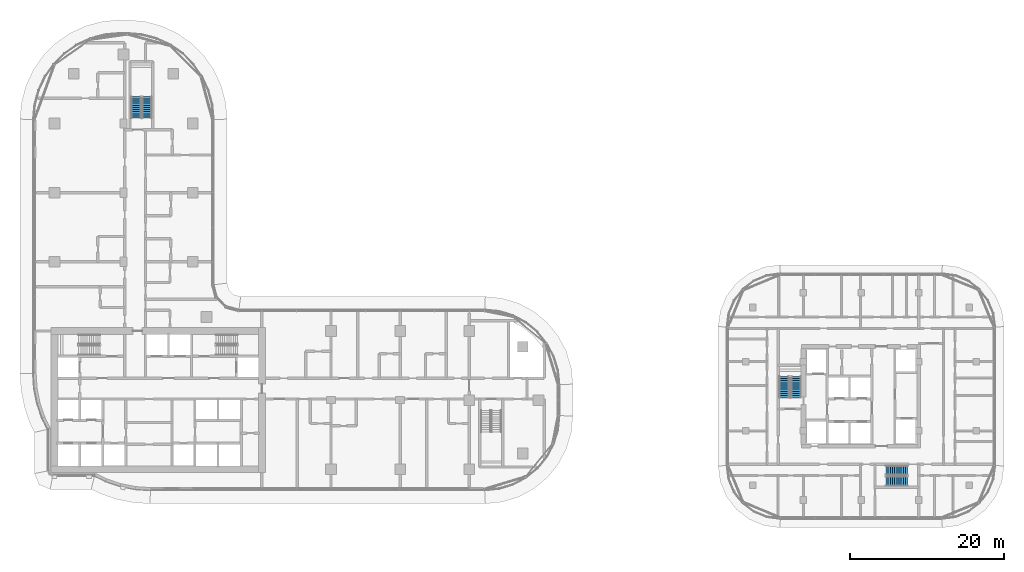
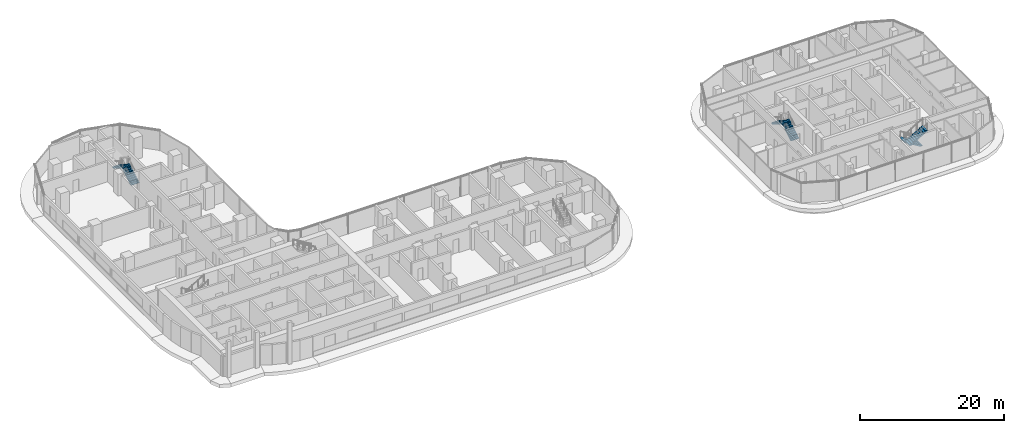
# One storey, part 27 of 36: 6 stair flights, 3 elements without a shape of their own.
"""IFC4 building model written with IfcOpenShell, lengths in metres."""

from ifc_helpers import new_model, si_unit, direction, frame, origin, place, context, subcontext, project, spatial, triangles, source, transform, mapped, material, type_object, element, aggregate, save


model = new_model("IFC4")

# Units and contexts
model_context = context("Model", 3, precision=1e-05, world=origin(), true_north=direction((0.0, 1.0)))
body_context = subcontext(model_context, "Body", "Model", "MODEL_VIEW")
ifc_project = project(units=[si_unit("LENGTHUNIT", "METRE"), si_unit("AREAUNIT", "SQUARE_METRE"), si_unit("VOLUMEUNIT", "CUBIC_METRE"), si_unit("PLANEANGLEUNIT", "RADIAN"), si_unit("MASSUNIT", "GRAM", prefix="KILO")], contexts=[model_context])

# Site, building, storey
site_placement = place(None, origin())
site = spatial("IfcSite", under=ifc_project, at=site_placement, CompositionType="ELEMENT")
building_placement = place(site_placement, origin())
building = spatial("IfcBuilding", under=site, at=building_placement, Name="Ogive Portal Towers", CompositionType="ELEMENT")
storey_placement = place(building_placement, frame((0.0, 0.0, 63.10009765625)))
storey = spatial("IfcBuildingStorey", under=building, at=storey_placement, Name="L14", CompositionType="ELEMENT", Elevation=63.10009765625)

# Stair, stair flights
ifc_material = material(Name="Concrete C40/50", Category="concrete")
stair_type = type_object("IfcStairType", Name="INT-STAIR", PredefinedType="HALF_TURN_STAIR", material=ifc_material)
stair_1_placement = place(storey_placement, origin())
stair_1 = element("IfcStair", 1, at=stair_1_placement, inside=storey, type_object=stair_type, Name="L14 Exit Stair ST-A3", PredefinedType="HALF_TURN_STAIR")
stair_flight_type = type_object("IfcStairFlightType", Name="INT-FLIGHT", PredefinedType="STRAIGHT", material=ifc_material)
shared_shape = source(origin(), body_context, "Body", "Tessellation", [
    triangles([(0.0, -0.650146484375, 0.0), (0.0, -0.376220703125, 0.0), (0.0, -0.192626953125, 0.0), (0.0, -0.081298828125, 0.0), (0.0, -0.024169921875, 0.0), (0.0, -0.003173828125, 0.0), (0.0, 0.0, 0.0), (0.0, 0.0029296875, 0.0), (0.0, 0.02392578125, 0.0), (0.0, 0.0810546875, 0.0), (0.0, 0.1923828125, 0.0), (0.0, 0.3759765625, 0.0), (0.0, 0.64990234375, 0.0), (0.0, -0.650146484375, 0.168212890625), (0.0, -0.376220703125, 0.168212890625), (0.0, -0.192626953125, 0.168212890625), (0.0, -0.081298828125, 0.168212890625), (0.0, -0.024169921875, 0.168212890625), (0.0, -0.003173828125, 0.168212890625), (0.0, 0.0, 0.168212890625), (0.0, 0.0029296875, 0.168212890625), (0.0, 0.02392578125, 0.168212890625), (0.0, 0.0810546875, 0.168212890625), (0.0, 0.1923828125, 0.168212890625), (0.0, 0.3759765625, 0.168212890625), (0.0, 0.64990234375, 0.168212890625), (0.280029296875, -0.650146484375, 0.168212890625), (0.280029296875, -0.376220703125, 0.168212890625), (0.280029296875, -0.192626953125, 0.168212890625), (0.280029296875, -0.081298828125, 0.168212890625), (0.280029296875, -0.024169921875, 0.168212890625), (0.280029296875, -0.003173828125, 0.168212890625), (0.280029296875, 0.0, 0.168212890625), (0.280029296875, 0.0029296875, 0.168212890625), (0.280029296875, 0.02392578125, 0.168212890625), (0.280029296875, 0.0810546875, 0.168212890625), (0.280029296875, 0.1923828125, 0.168212890625), (0.280029296875, 0.3759765625, 0.168212890625), (0.280029296875, 0.64990234375, 0.168212890625), (0.280029296875, -0.650146484375, 0.33642578125), (0.280029296875, -0.376220703125, 0.33642578125), (0.280029296875, -0.192626953125, 0.33642578125), (0.280029296875, -0.081298828125, 0.33642578125), (0.280029296875, -0.024169921875, 0.33642578125), (0.280029296875, -0.003173828125, 0.33642578125), (0.280029296875, 0.0, 0.33642578125), (0.280029296875, 0.0029296875, 0.33642578125), (0.280029296875, 0.02392578125, 0.33642578125), (0.280029296875, 0.0810546875, 0.33642578125), (0.280029296875, 0.1923828125, 0.33642578125), (0.280029296875, 0.3759765625, 0.33642578125), (0.280029296875, 0.64990234375, 0.33642578125), (0.56005859375, -0.650146484375, 0.33642578125), (0.56005859375, -0.376220703125, 0.33642578125), (0.56005859375, -0.192626953125, 0.33642578125), (0.56005859375, -0.081298828125, 0.33642578125), (0.56005859375, -0.024169921875, 0.33642578125), (0.56005859375, -0.003173828125, 0.33642578125), (0.56005859375, 0.0, 0.33642578125), (0.56005859375, 0.0029296875, 0.33642578125), (0.56005859375, 0.02392578125, 0.33642578125), (0.56005859375, 0.0810546875, 0.33642578125), (0.56005859375, 0.1923828125, 0.33642578125), (0.56005859375, 0.3759765625, 0.33642578125), (0.56005859375, 0.64990234375, 0.33642578125), (0.56005859375, -0.650146484375, 0.504638671875), (0.56005859375, -0.376220703125, 0.504638671875), (0.56005859375, -0.192626953125, 0.504638671875), (0.56005859375, -0.081298828125, 0.504638671875), (0.56005859375, -0.024169921875, 0.504638671875), (0.56005859375, -0.003173828125, 0.504638671875), (0.56005859375, 0.0, 0.504638671875), (0.56005859375, 0.0029296875, 0.504638671875), (0.56005859375, 0.02392578125, 0.504638671875), (0.56005859375, 0.0810546875, 0.504638671875), (0.56005859375, 0.1923828125, 0.504638671875), (0.56005859375, 0.3759765625, 0.504638671875), (0.56005859375, 0.64990234375, 0.504638671875), (0.840087890625, -0.650146484375, 0.504638671875), (0.840087890625, -0.376220703125, 0.504638671875), (0.840087890625, -0.192626953125, 0.504638671875), (0.840087890625, -0.081298828125, 0.504638671875), (0.840087890625, -0.024169921875, 0.504638671875), (0.840087890625, -0.003173828125, 0.504638671875), (0.840087890625, 0.0, 0.504638671875), (0.840087890625, 0.0029296875, 0.504638671875), (0.840087890625, 0.02392578125, 0.504638671875), (0.840087890625, 0.0810546875, 0.504638671875), (0.840087890625, 0.1923828125, 0.504638671875), (0.840087890625, 0.3759765625, 0.504638671875), (0.840087890625, 0.64990234375, 0.504638671875), (0.840087890625, -0.650146484375, 0.672607421875), (0.840087890625, -0.376220703125, 0.672607421875), (0.840087890625, -0.192626953125, 0.672607421875), (0.840087890625, -0.081298828125, 0.672607421875), (0.840087890625, -0.024169921875, 0.672607421875), (0.840087890625, -0.003173828125, 0.672607421875), (0.840087890625, 0.0, 0.672607421875), (0.840087890625, 0.0029296875, 0.672607421875), (0.840087890625, 0.02392578125, 0.672607421875), (0.840087890625, 0.0810546875, 0.672607421875), (0.840087890625, 0.1923828125, 0.672607421875), (0.840087890625, 0.3759765625, 0.672607421875), (0.840087890625, 0.64990234375, 0.672607421875), (1.1201171875, -0.650146484375, 0.672607421875), (1.1201171875, -0.376220703125, 0.672607421875), (1.1201171875, -0.192626953125, 0.672607421875), (1.1201171875, -0.081298828125, 0.672607421875), (1.1201171875, -0.024169921875, 0.672607421875), (1.1201171875, -0.003173828125, 0.672607421875), (1.1201171875, 0.0, 0.672607421875), (1.1201171875, 0.0029296875, 0.672607421875), (1.1201171875, 0.02392578125, 0.672607421875), (1.1201171875, 0.0810546875, 0.672607421875), (1.1201171875, 0.1923828125, 0.672607421875), (1.1201171875, 0.3759765625, 0.672607421875), (1.1201171875, 0.64990234375, 0.672607421875), (1.1201171875, -0.650146484375, 0.8408203125), (1.1201171875, -0.376220703125, 0.8408203125), (1.1201171875, -0.192626953125, 0.8408203125), (1.1201171875, -0.081298828125, 0.8408203125), (1.1201171875, -0.024169921875, 0.8408203125), (1.1201171875, -0.003173828125, 0.8408203125), (1.1201171875, 0.0, 0.8408203125), (1.1201171875, 0.0029296875, 0.8408203125), (1.1201171875, 0.02392578125, 0.8408203125), (1.1201171875, 0.0810546875, 0.8408203125), (1.1201171875, 0.1923828125, 0.8408203125), (1.1201171875, 0.3759765625, 0.8408203125), (1.1201171875, 0.64990234375, 0.8408203125), (1.39990234375, -0.650146484375, 0.8408203125), (1.39990234375, -0.376220703125, 0.8408203125), (1.39990234375, -0.192626953125, 0.8408203125), (1.39990234375, -0.081298828125, 0.8408203125), (1.39990234375, -0.024169921875, 0.8408203125), (1.39990234375, -0.003173828125, 0.8408203125), (1.39990234375, 0.0, 0.8408203125), (1.39990234375, 0.0029296875, 0.8408203125), (1.39990234375, 0.02392578125, 0.8408203125), (1.39990234375, 0.0810546875, 0.8408203125), (1.39990234375, 0.1923828125, 0.8408203125), (1.39990234375, 0.3759765625, 0.8408203125), (1.39990234375, 0.64990234375, 0.8408203125), (1.39990234375, -0.650146484375, 1.009033203125), (1.39990234375, -0.376220703125, 1.009033203125), (1.39990234375, -0.192626953125, 1.009033203125), (1.39990234375, -0.081298828125, 1.009033203125), (1.39990234375, -0.024169921875, 1.009033203125), (1.39990234375, -0.003173828125, 1.009033203125), (1.39990234375, 0.0, 1.009033203125), (1.39990234375, 0.0029296875, 1.009033203125), (1.39990234375, 0.02392578125, 1.009033203125), (1.39990234375, 0.0810546875, 1.009033203125), (1.39990234375, 0.1923828125, 1.009033203125), (1.39990234375, 0.3759765625, 1.009033203125), (1.39990234375, 0.64990234375, 1.009033203125), (1.679931640625, -0.650146484375, 1.009033203125), (1.679931640625, -0.376220703125, 1.009033203125), (1.679931640625, -0.192626953125, 1.009033203125), (1.679931640625, -0.081298828125, 1.009033203125), (1.679931640625, -0.024169921875, 1.009033203125), (1.679931640625, -0.003173828125, 1.009033203125), (1.679931640625, 0.0, 1.009033203125), (1.679931640625, 0.0029296875, 1.009033203125), (1.679931640625, 0.02392578125, 1.009033203125), (1.679931640625, 0.0810546875, 1.009033203125), (1.679931640625, 0.1923828125, 1.009033203125), (1.679931640625, 0.3759765625, 1.009033203125), (1.679931640625, 0.64990234375, 1.009033203125), (1.679931640625, -0.650146484375, 1.17724609375), (1.679931640625, -0.376220703125, 1.17724609375), (1.679931640625, -0.192626953125, 1.17724609375), (1.679931640625, -0.081298828125, 1.17724609375), (1.679931640625, -0.024169921875, 1.17724609375), (1.679931640625, -0.003173828125, 1.17724609375), (1.679931640625, 0.0, 1.17724609375), (1.679931640625, 0.0029296875, 1.17724609375), (1.679931640625, 0.02392578125, 1.17724609375), (1.679931640625, 0.0810546875, 1.17724609375), (1.679931640625, 0.1923828125, 1.17724609375), (1.679931640625, 0.3759765625, 1.17724609375), (1.679931640625, 0.64990234375, 1.17724609375), (1.9599609375, -0.650146484375, 1.17724609375), (1.9599609375, -0.376220703125, 1.17724609375), (1.9599609375, -0.192626953125, 1.17724609375), (1.9599609375, -0.081298828125, 1.17724609375), (1.9599609375, -0.024169921875, 1.17724609375), (1.9599609375, -0.003173828125, 1.17724609375), (1.9599609375, 0.0, 1.17724609375), (1.9599609375, 0.0029296875, 1.17724609375), (1.9599609375, 0.02392578125, 1.17724609375), (1.9599609375, 0.0810546875, 1.17724609375), (1.9599609375, 0.1923828125, 1.17724609375), (1.9599609375, 0.3759765625, 1.17724609375), (1.9599609375, 0.64990234375, 1.17724609375), (1.9599609375, -0.650146484375, 1.345458984375), (1.9599609375, -0.376220703125, 1.345458984375), (1.9599609375, -0.192626953125, 1.345458984375), (1.9599609375, -0.081298828125, 1.345458984375), (1.9599609375, -0.024169921875, 1.345458984375), (1.9599609375, -0.003173828125, 1.345458984375), (1.9599609375, 0.0, 1.345458984375), (1.9599609375, 0.0029296875, 1.345458984375), (1.9599609375, 0.02392578125, 1.345458984375), (1.9599609375, 0.0810546875, 1.345458984375), (1.9599609375, 0.1923828125, 1.345458984375), (1.9599609375, 0.3759765625, 1.345458984375), (1.9599609375, 0.64990234375, 1.345458984375), (2.239990234375, -0.650146484375, 1.345458984375), (2.239990234375, -0.376220703125, 1.345458984375), (2.239990234375, -0.192626953125, 1.345458984375), (2.239990234375, -0.081298828125, 1.345458984375), (2.239990234375, -0.024169921875, 1.345458984375), (2.239990234375, -0.003173828125, 1.345458984375), (2.239990234375, 0.0, 1.345458984375), (2.239990234375, 0.0029296875, 1.345458984375), (2.239990234375, 0.02392578125, 1.345458984375), (2.239990234375, 0.0810546875, 1.345458984375), (2.239990234375, 0.1923828125, 1.345458984375), (2.239990234375, 0.3759765625, 1.345458984375), (2.239990234375, 0.64990234375, 1.345458984375), (2.239990234375, -0.650146484375, 1.513671875), (2.239990234375, -0.376220703125, 1.513671875), (2.239990234375, -0.192626953125, 1.513671875), (2.239990234375, -0.081298828125, 1.513671875), (2.239990234375, -0.024169921875, 1.513671875), (2.239990234375, -0.003173828125, 1.513671875), (2.239990234375, 0.0, 1.513671875), (2.239990234375, 0.0029296875, 1.513671875), (2.239990234375, 0.02392578125, 1.513671875), (2.239990234375, 0.0810546875, 1.513671875), (2.239990234375, 0.1923828125, 1.513671875), (2.239990234375, 0.3759765625, 1.513671875), (2.239990234375, 0.64990234375, 1.513671875), (2.52001953125, -0.650146484375, 1.513671875), (2.52001953125, -0.376220703125, 1.513671875), (2.52001953125, -0.192626953125, 1.513671875), (2.52001953125, -0.081298828125, 1.513671875), (2.52001953125, -0.024169921875, 1.513671875), (2.52001953125, -0.003173828125, 1.513671875), (2.52001953125, 0.0, 1.513671875), (2.52001953125, 0.0029296875, 1.513671875), (2.52001953125, 0.02392578125, 1.513671875), (2.52001953125, 0.0810546875, 1.513671875), (2.52001953125, 0.1923828125, 1.513671875), (2.52001953125, 0.3759765625, 1.513671875), (2.52001953125, 0.64990234375, 1.513671875), (2.52001953125, -0.650146484375, 1.681884765625), (2.52001953125, -0.376220703125, 1.681884765625), (2.52001953125, -0.192626953125, 1.681884765625), (2.52001953125, -0.081298828125, 1.681884765625), (2.52001953125, -0.024169921875, 1.681884765625), (2.52001953125, -0.003173828125, 1.681884765625), (2.52001953125, 0.0, 1.681884765625), (2.52001953125, 0.0029296875, 1.681884765625), (2.52001953125, 0.02392578125, 1.681884765625), (2.52001953125, 0.0810546875, 1.681884765625), (2.52001953125, 0.1923828125, 1.681884765625), (2.52001953125, 0.3759765625, 1.681884765625), (2.52001953125, 0.64990234375, 1.681884765625), (2.800048828125, -0.650146484375, 1.681884765625), (2.800048828125, -0.376220703125, 1.681884765625), (2.800048828125, -0.192626953125, 1.681884765625), (2.800048828125, -0.081298828125, 1.681884765625), (2.800048828125, -0.024169921875, 1.681884765625), (2.800048828125, -0.003173828125, 1.681884765625), (2.800048828125, 0.0, 1.681884765625), (2.800048828125, 0.0029296875, 1.681884765625), (2.800048828125, 0.02392578125, 1.681884765625), (2.800048828125, 0.0810546875, 1.681884765625), (2.800048828125, 0.1923828125, 1.681884765625), (2.800048828125, 0.3759765625, 1.681884765625), (2.800048828125, 0.64990234375, 1.681884765625), (2.800048828125, -0.650146484375, 1.5068359375), (2.800048828125, -0.376220703125, 1.5068359375), (2.800048828125, -0.192626953125, 1.5068359375), (2.800048828125, -0.081298828125, 1.5068359375), (2.800048828125, -0.024169921875, 1.5068359375), (2.800048828125, -0.003173828125, 1.5068359375), (2.800048828125, 0.0, 1.5068359375), (2.800048828125, 0.0029296875, 1.5068359375), (2.800048828125, 0.02392578125, 1.5068359375), (2.800048828125, 0.0810546875, 1.5068359375), (2.800048828125, 0.1923828125, 1.5068359375), (2.800048828125, 0.3759765625, 1.5068359375), (2.800048828125, 0.64990234375, 1.5068359375), (0.291015625, -0.650146484375, 0.0), (0.291015625, -0.376220703125, 0.0), (0.291015625, -0.192626953125, 0.0), (0.291015625, -0.081298828125, 0.0), (0.291015625, -0.024169921875, 0.0), (0.291015625, -0.003173828125, 0.0), (0.291015625, 0.0, 0.0), (0.291015625, 0.0029296875, 0.0), (0.291015625, 0.02392578125, 0.0), (0.291015625, 0.0810546875, 0.0), (0.291015625, 0.1923828125, 0.0), (0.291015625, 0.3759765625, 0.0), (0.291015625, 0.64990234375, 0.0)], [[1, 14, 15], [1, 15, 2], [2, 15, 16], [2, 16, 3], [3, 16, 17], [3, 17, 4], [4, 17, 18], [4, 18, 5], [5, 18, 19], [5, 19, 6], [6, 19, 20], [6, 20, 7], [7, 20, 21], [7, 21, 8], [8, 21, 22], [8, 22, 9], [9, 22, 23], [9, 23, 10], [10, 23, 24], [10, 24, 11], [11, 24, 25], [11, 25, 12], [12, 25, 26], [12, 26, 13], [14, 27, 28], [14, 28, 15], [15, 28, 29], [15, 29, 16], [16, 29, 30], [16, 30, 17], [17, 30, 31], [17, 31, 18], [18, 31, 32], [18, 32, 19], [19, 32, 33], [19, 33, 20], [20, 33, 34], [20, 34, 21], [21, 34, 35], [21, 35, 22], [22, 35, 36], [22, 36, 23], [23, 36, 37], [23, 37, 24], [24, 37, 38], [24, 38, 25], [25, 38, 39], [25, 39, 26], [27, 40, 41], [27, 41, 28], [28, 41, 42], [28, 42, 29], [29, 42, 43], [29, 43, 30], [30, 43, 44], [30, 44, 31], [31, 44, 45], [31, 45, 32], [32, 45, 46], [32, 46, 33], [33, 46, 47], [33, 47, 34], [34, 47, 48], [34, 48, 35], [35, 48, 49], [35, 49, 36], [36, 49, 50], [36, 50, 37], [37, 50, 51], [37, 51, 38], [38, 51, 52], [38, 52, 39], [40, 53, 54], [40, 54, 41], [41, 54, 55], [41, 55, 42], [42, 55, 56], [42, 56, 43], [43, 56, 57], [43, 57, 44], [44, 57, 58], [44, 58, 45], [45, 58, 59], [45, 59, 46], [46, 59, 60], [46, 60, 47], [47, 60, 61], [47, 61, 48], [48, 61, 62], [48, 62, 49], [49, 62, 63], [49, 63, 50], [50, 63, 64], [50, 64, 51], [51, 64, 65], [51, 65, 52], [53, 66, 67], [53, 67, 54], [54, 67, 68], [54, 68, 55], [55, 68, 69], [55, 69, 56], [56, 69, 70], [56, 70, 57], [57, 70, 71], [57, 71, 58], [58, 71, 72], [58, 72, 59], [59, 72, 73], [59, 73, 60], [60, 73, 74], [60, 74, 61], [61, 74, 75], [61, 75, 62], [62, 75, 76], [62, 76, 63], [63, 76, 77], [63, 77, 64], [64, 77, 78], [64, 78, 65], [66, 79, 80], [66, 80, 67], [67, 80, 81], [67, 81, 68], [68, 81, 82], [68, 82, 69], [69, 82, 83], [69, 83, 70], [70, 83, 84], [70, 84, 71], [71, 84, 85], [71, 85, 72], [72, 85, 86], [72, 86, 73], [73, 86, 87], [73, 87, 74], [74, 87, 88], [74, 88, 75], [75, 88, 89], [75, 89, 76], [76, 89, 90], [76, 90, 77], [77, 90, 91], [77, 91, 78], [79, 92, 93], [79, 93, 80], [80, 93, 94], [80, 94, 81], [81, 94, 95], [81, 95, 82], [82, 95, 96], [82, 96, 83], [83, 96, 97], [83, 97, 84], [84, 97, 98], [84, 98, 85], [85, 98, 99], [85, 99, 86], [86, 99, 100], [86, 100, 87], [87, 100, 101], [87, 101, 88], [88, 101, 102], [88, 102, 89], [89, 102, 103], [89, 103, 90], [90, 103, 104], [90, 104, 91], [92, 105, 106], [92, 106, 93], [93, 106, 107], [93, 107, 94], [94, 107, 108], [94, 108, 95], [95, 108, 109], [95, 109, 96], [96, 109, 110], [96, 110, 97], [97, 110, 111], [97, 111, 98], [98, 111, 112], [98, 112, 99], [99, 112, 113], [99, 113, 100], [100, 113, 114], [100, 114, 101], [101, 114, 115], [101, 115, 102], [102, 115, 116], [102, 116, 103], [103, 116, 117], [103, 117, 104], [105, 118, 119], [105, 119, 106], [106, 119, 120], [106, 120, 107], [107, 120, 121], [107, 121, 108], [108, 121, 122], [108, 122, 109], [109, 122, 123], [109, 123, 110], [110, 123, 124], [110, 124, 111], [111, 124, 125], [111, 125, 112], [112, 125, 126], [112, 126, 113], [113, 126, 127], [113, 127, 114], [114, 127, 128], [114, 128, 115], [115, 128, 129], [115, 129, 116], [116, 129, 130], [116, 130, 117], [118, 131, 132], [118, 132, 119], [119, 132, 133], [119, 133, 120], [120, 133, 134], [120, 134, 121], [121, 134, 135], [121, 135, 122], [122, 135, 136], [122, 136, 123], [123, 136, 137], [123, 137, 124], [124, 137, 138], [124, 138, 125], [125, 138, 139], [125, 139, 126], [126, 139, 140], [126, 140, 127], [127, 140, 141], [127, 141, 128], [128, 141, 142], [128, 142, 129], [129, 142, 143], [129, 143, 130], [131, 144, 145], [131, 145, 132], [132, 145, 146], [132, 146, 133], [133, 146, 147], [133, 147, 134], [134, 147, 148], [134, 148, 135], [135, 148, 149], [135, 149, 136], [136, 149, 150], [136, 150, 137], [137, 150, 151], [137, 151, 138], [138, 151, 152], [138, 152, 139], [139, 152, 153], [139, 153, 140], [140, 153, 154], [140, 154, 141], [141, 154, 155], [141, 155, 142], [142, 155, 156], [142, 156, 143], [144, 157, 158], [144, 158, 145], [145, 158, 159], [145, 159, 146], [146, 159, 160], [146, 160, 147], [147, 160, 161], [147, 161, 148], [148, 161, 162], [148, 162, 149], [149, 162, 163], [149, 163, 150], [150, 163, 164], [150, 164, 151], [151, 164, 165], [151, 165, 152], [152, 165, 166], [152, 166, 153], [153, 166, 167], [153, 167, 154], [154, 167, 168], [154, 168, 155], [155, 168, 169], [155, 169, 156], [157, 170, 171], [157, 171, 158], [158, 171, 172], [158, 172, 159], [159, 172, 173], [159, 173, 160], [160, 173, 174], [160, 174, 161], [161, 174, 175], [161, 175, 162], [162, 175, 176], [162, 176, 163], [163, 176, 177], [163, 177, 164], [164, 177, 178], [164, 178, 165], [165, 178, 179], [165, 179, 166], [166, 179, 180], [166, 180, 167], [167, 180, 181], [167, 181, 168], [168, 181, 182], [168, 182, 169], [170, 183, 184], [170, 184, 171], [171, 184, 185], [171, 185, 172], [172, 185, 186], [172, 186, 173], [173, 186, 187], [173, 187, 174], [174, 187, 188], [174, 188, 175], [175, 188, 189], [175, 189, 176], [176, 189, 190], [176, 190, 177], [177, 190, 191], [177, 191, 178], [178, 191, 192], [178, 192, 179], [179, 192, 193], [179, 193, 180], [180, 193, 194], [180, 194, 181], [181, 194, 195], [181, 195, 182], [183, 196, 197], [183, 197, 184], [184, 197, 198], [184, 198, 185], [185, 198, 199], [185, 199, 186], [186, 199, 200], [186, 200, 187], [187, 200, 201], [187, 201, 188], [188, 201, 202], [188, 202, 189], [189, 202, 203], [189, 203, 190], [190, 203, 204], [190, 204, 191], [191, 204, 205], [191, 205, 192], [192, 205, 206], [192, 206, 193], [193, 206, 207], [193, 207, 194], [194, 207, 208], [194, 208, 195], [196, 209, 210], [196, 210, 197], [197, 210, 211], [197, 211, 198], [198, 211, 212], [198, 212, 199], [199, 212, 213], [199, 213, 200], [200, 213, 214], [200, 214, 201], [201, 214, 215], [201, 215, 202], [202, 215, 216], [202, 216, 203], [203, 216, 217], [203, 217, 204], [204, 217, 218], [204, 218, 205], [205, 218, 219], [205, 219, 206], [206, 219, 220], [206, 220, 207], [207, 220, 221], [207, 221, 208], [209, 222, 223], [209, 223, 210], [210, 223, 224], [210, 224, 211], [211, 224, 225], [211, 225, 212], [212, 225, 226], [212, 226, 213], [213, 226, 227], [213, 227, 214], [214, 227, 228], [214, 228, 215], [215, 228, 229], [215, 229, 216], [216, 229, 230], [216, 230, 217], [217, 230, 231], [217, 231, 218], [218, 231, 232], [218, 232, 219], [219, 232, 233], [219, 233, 220], [220, 233, 234], [220, 234, 221], [222, 235, 236], [222, 236, 223], [223, 236, 237], [223, 237, 224], [224, 237, 238], [224, 238, 225], [225, 238, 239], [225, 239, 226], [226, 239, 240], [226, 240, 227], [227, 240, 241], [227, 241, 228], [228, 241, 242], [228, 242, 229], [229, 242, 243], [229, 243, 230], [230, 243, 244], [230, 244, 231], [231, 244, 245], [231, 245, 232], [232, 245, 246], [232, 246, 233], [233, 246, 247], [233, 247, 234], [235, 248, 249], [235, 249, 236], [236, 249, 250], [236, 250, 237], [237, 250, 251], [237, 251, 238], [238, 251, 252], [238, 252, 239], [239, 252, 253], [239, 253, 240], [240, 253, 254], [240, 254, 241], [241, 254, 255], [241, 255, 242], [242, 255, 256], [242, 256, 243], [243, 256, 257], [243, 257, 244], [244, 257, 258], [244, 258, 245], [245, 258, 259], [245, 259, 246], [246, 259, 260], [246, 260, 247], [248, 261, 262], [248, 262, 249], [249, 262, 263], [249, 263, 250], [250, 263, 264], [250, 264, 251], [251, 264, 265], [251, 265, 252], [252, 265, 266], [252, 266, 253], [253, 266, 267], [253, 267, 254], [254, 267, 268], [254, 268, 255], [255, 268, 269], [255, 269, 256], [256, 269, 270], [256, 270, 257], [257, 270, 271], [257, 271, 258], [258, 271, 272], [258, 272, 259], [259, 272, 273], [259, 273, 260], [261, 274, 275], [261, 275, 262], [262, 275, 276], [262, 276, 263], [263, 276, 277], [263, 277, 264], [264, 277, 278], [264, 278, 265], [265, 278, 279], [265, 279, 266], [266, 279, 280], [266, 280, 267], [267, 280, 281], [267, 281, 268], [268, 281, 282], [268, 282, 269], [269, 282, 283], [269, 283, 270], [270, 283, 284], [270, 284, 271], [271, 284, 285], [271, 285, 272], [272, 285, 286], [272, 286, 273], [274, 287, 288], [274, 288, 275], [275, 288, 289], [275, 289, 276], [276, 289, 290], [276, 290, 277], [277, 290, 291], [277, 291, 278], [278, 291, 292], [278, 292, 279], [279, 292, 293], [279, 293, 280], [280, 293, 294], [280, 294, 281], [281, 294, 295], [281, 295, 282], [282, 295, 296], [282, 296, 283], [283, 296, 297], [283, 297, 284], [284, 297, 298], [284, 298, 285], [285, 298, 299], [285, 299, 286], [287, 1, 2], [287, 2, 288], [288, 2, 3], [288, 3, 289], [289, 3, 4], [289, 4, 290], [290, 4, 5], [290, 5, 291], [291, 5, 6], [291, 6, 292], [292, 6, 7], [292, 7, 293], [293, 7, 8], [293, 8, 294], [294, 8, 9], [294, 9, 295], [295, 9, 10], [295, 10, 296], [296, 10, 11], [296, 11, 297], [297, 11, 12], [297, 12, 298], [298, 12, 13], [298, 13, 299], [1, 287, 274], [13, 286, 299], [274, 261, 248], [286, 260, 273], [274, 248, 235], [286, 247, 260], [274, 235, 222], [286, 234, 247], [274, 222, 209], [286, 221, 234], [209, 196, 183], [221, 195, 208], [274, 209, 183], [286, 195, 221], [183, 170, 157], [195, 169, 182], [274, 183, 157], [286, 169, 195], [157, 144, 131], [169, 143, 156], [274, 157, 131], [286, 143, 169], [131, 118, 105], [143, 117, 130], [274, 131, 105], [286, 117, 143], [1, 274, 105], [13, 117, 286], [105, 92, 79], [117, 91, 104], [79, 66, 53], [91, 65, 78], [105, 79, 53], [117, 65, 91], [53, 40, 27], [65, 39, 52], [105, 53, 27], [117, 39, 65], [1, 105, 27], [13, 39, 117], [27, 14, 1], [39, 13, 26]], closed=True),
])
stair_flight_1_placement = place(storey_placement, frame((43.550048828125, 67.199951171875, 0.0), z_axis=(0.0, 0.0, 1.0), x_axis=(0.0, 1.0, 0.0)))
stair_flight_1 = element("IfcStairFlight", 2, at=stair_flight_1_placement, type_object=stair_flight_type, Name="ST-A3 flight 1", NumberOfRisers=11, NumberOfTreads=10, PredefinedType="STRAIGHT", RiserHeight=0.168181818, TreadLength=0.28, context=body_context, shape_type="MappedRepresentation", body=[
    mapped(shared_shape, transform((0.0, 0.0, 0.0), scale=1.0)),
])
stair_flight_2_placement = place(storey_placement, frame((42.14990234375, 70.0, 1.849853515625), z_axis=(0.0, 0.0, 1.0), x_axis=(0.0, -1.0, 0.0)))
stair_flight_2 = element("IfcStairFlight", 3, at=stair_flight_2_placement, type_object=stair_flight_type, Name="ST-A3 flight 2", NumberOfRisers=11, NumberOfTreads=10, PredefinedType="STRAIGHT", RiserHeight=0.168181818, TreadLength=0.28, context=body_context, shape_type="MappedRepresentation", body=[
    mapped(shared_shape, transform((0.0, 0.0, 0.0), scale=1.0)),
])
aggregate(stair_1, [stair_flight_1, stair_flight_2])

stair_2_placement = place(storey_placement, origin())
stair_2 = element("IfcStair", 4, at=stair_2_placement, inside=storey, type_object=stair_type, Name="L14 Exit Stair ST-B1", PredefinedType="HALF_TURN_STAIR")
stair_flight_3_placement = place(storey_placement, frame((128.050048828125, 30.800048828125, 0.0), z_axis=(0.0, 0.0, 1.0), x_axis=(0.0, 1.0, 0.0)))
stair_flight_3 = element("IfcStairFlight", 5, at=stair_flight_3_placement, type_object=stair_flight_type, Name="ST-B1 flight 1", NumberOfRisers=11, NumberOfTreads=10, PredefinedType="STRAIGHT", RiserHeight=0.168181818, TreadLength=0.28, context=body_context, shape_type="MappedRepresentation", body=[
    mapped(shared_shape, transform((0.0, 0.0, 0.0), scale=1.0)),
])
stair_flight_4_placement = place(storey_placement, frame((126.5, 33.60009765625, 1.849853515625), z_axis=(0.0, 0.0, 1.0), x_axis=(0.0, -1.0, 0.0)))
stair_flight_4 = element("IfcStairFlight", 6, at=stair_flight_4_placement, type_object=stair_flight_type, Name="ST-B1 flight 2", NumberOfRisers=11, NumberOfTreads=10, PredefinedType="STRAIGHT", RiserHeight=0.168181818, TreadLength=0.28, context=body_context, shape_type="MappedRepresentation", body=[
    mapped(shared_shape, transform((0.0, 0.0, 0.0), scale=1.0)),
])
aggregate(stair_2, [stair_flight_3, stair_flight_4])

stair_3_placement = place(storey_placement, origin())
stair_3 = element("IfcStair", 7, at=stair_3_placement, inside=storey, type_object=stair_type, Name="L14 Exit Stair ST-B2", PredefinedType="HALF_TURN_STAIR")
stair_flight_5_placement = place(storey_placement, frame((142.550048828125, 21.35009765625, 0.0), z_axis=(0.0, 0.0, 1.0), x_axis=(-1.0, 0.0, 0.0)))
stair_flight_5 = element("IfcStairFlight", 8, at=stair_flight_5_placement, type_object=stair_flight_type, Name="ST-B2 flight 1", NumberOfRisers=11, NumberOfTreads=10, PredefinedType="STRAIGHT", RiserHeight=0.168181818, TreadLength=0.28, context=body_context, shape_type="MappedRepresentation", body=[
    mapped(shared_shape, transform((0.0, 0.0, 0.0), scale=1.0)),
])
stair_flight_6_placement = place(storey_placement, frame((139.75, 19.949951171875, 1.849853515625), z_axis=(0.0, 0.0, 1.0), x_axis=(1.0, 0.0, 0.0)))
stair_flight_6 = element("IfcStairFlight", 9, at=stair_flight_6_placement, type_object=stair_flight_type, Name="ST-B2 flight 2", NumberOfRisers=11, NumberOfTreads=10, PredefinedType="STRAIGHT", RiserHeight=0.168181818, TreadLength=0.28, context=body_context, shape_type="MappedRepresentation", body=[
    mapped(shared_shape, transform((0.0, 0.0, 0.0), scale=1.0)),
])
aggregate(stair_3, [stair_flight_5, stair_flight_6])

save(model, "model.ifc")
